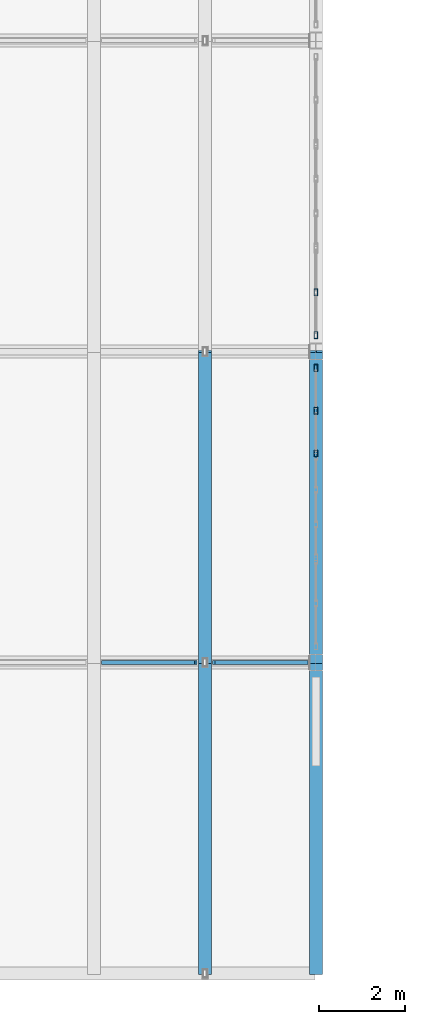
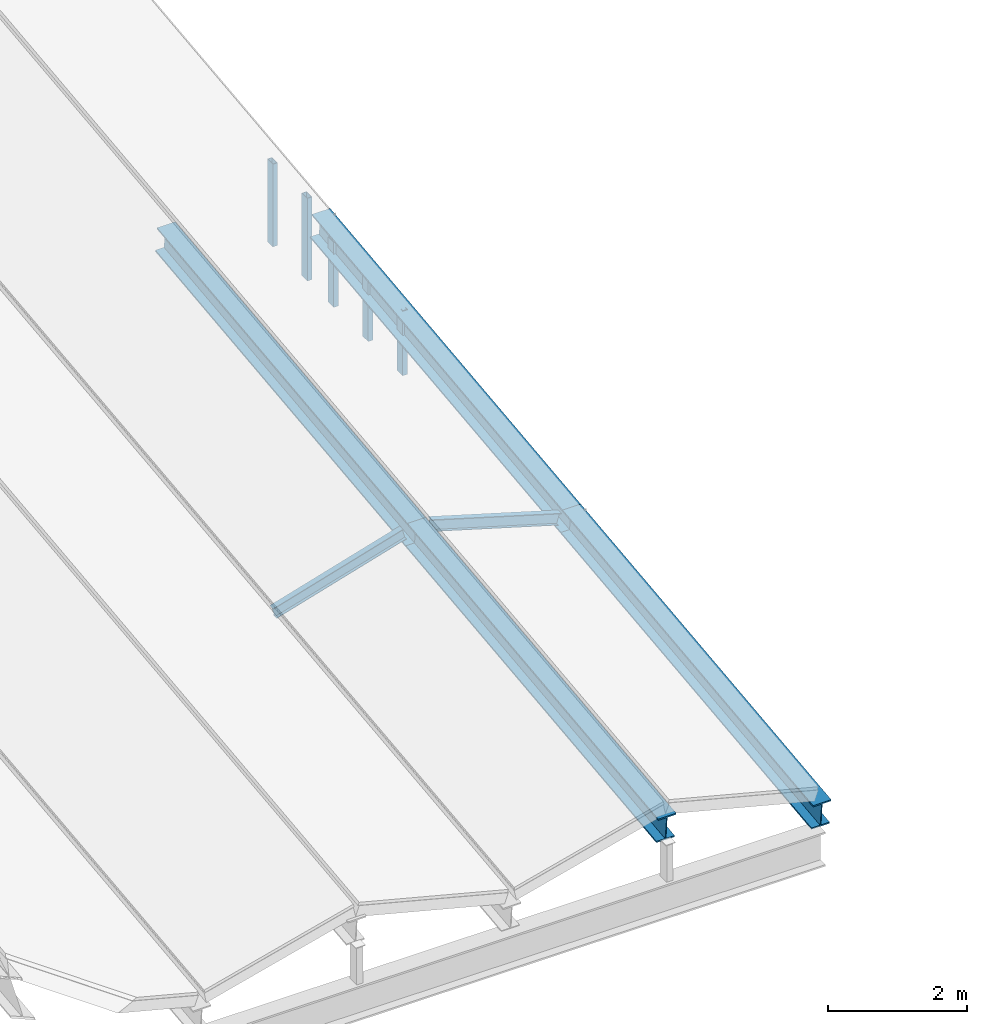
# One storey, part 10 of 39: 7 members, 4 beams, 2 elements without a shape of their own.
"""IFC4 building model written with IfcOpenShell, lengths in metres."""

from ifc_helpers import new_model, si_unit, direction, frame, origin, origin_2d, place, context, subcontext, project, spatial, hollow_rectangle, i_section, extrude, material, layer, layer_set, material_profile, profile_set, type_object, element, aggregate, save


model = new_model("IFC4")

# Units and contexts
model_context = context("Model", 3, precision=1e-05, world=origin(), true_north=direction((0.0, 1.0)))
body_context = subcontext(model_context, "Body", "Model", "MODEL_VIEW")
ifc_project = project(units=[si_unit("LENGTHUNIT", "METRE"), si_unit("AREAUNIT", "SQUARE_METRE"), si_unit("VOLUMEUNIT", "CUBIC_METRE"), si_unit("PLANEANGLEUNIT", "RADIAN"), si_unit("MASSUNIT", "GRAM", prefix="KILO"), si_unit("THERMODYNAMICTEMPERATUREUNIT", "KELVIN"), si_unit("POWERUNIT", "WATT")], contexts=[model_context])

# Site, building, storey
site_placement = place(None, origin())
site = spatial("IfcSite", under=ifc_project, at=site_placement, CompositionType="ELEMENT")
building_placement = place(site_placement, origin())
building = spatial("IfcBuilding", under=site, at=building_placement, Name="Kaldorven Railside Theatre", CompositionType="ELEMENT")
storey_placement = place(building_placement, frame((0.0, 0.0, 27.300048828125)))
storey = spatial("IfcBuildingStorey", under=building, at=storey_placement, Name="ROOF", CompositionType="ELEMENT", Elevation=27.300048828125)

# Beams
ifc_material_1 = material(Name="Steel S355", Category="steel")
ifc_material_profile_1 = material_profile(ifc_material_1, i_section(OverallWidth=0.300048828125, OverallDepth=0.449951171875, WebThickness=0.013916015625, FlangeThickness=0.02587890625, at=origin_2d()), Name="HEB 450")
ifc_profile_set_1 = profile_set([ifc_material_profile_1], Name="Steel S355")
beam_type = type_object("IfcBeamType", Name="BM-HEB450", PredefinedType="BEAM", material=ifc_profile_set_1)
for number, where, z_axis, x_axis, name in (
    (1, (120.62841796875, 84.0, 0.22998046875), (0.0, 0.993575928723, 0.11316745938), (-1.0, 0.0, 0.0), "V2 Folded-Plate Ridge Girder RB-151"),
    (2, (120.62841796875, 91.199951171875, 1.050048828125), (0.0, 0.993575928723, 0.11316745938), (-1.0, 0.0, 0.0), "V2 Folded-Plate Ridge Girder RB-152"),
    (3, (123.199951171875, 84.0, -0.43505859375), (0.0, 0.993575928723, 0.11316745938), (-1.0, 0.0, 0.0), "V2 Folded-Plate Valley Girder VB-155"),
    (4, (123.199951171875, 91.199951171875, 0.385009765625), (0.0, 0.993575928723, 0.11316745938), (-1.0, 0.0, 0.0), "V2 Folded-Plate Valley Girder VB-156"),
):
    element("IfcBeam", number, at=place(storey_placement, frame(where, z_axis=z_axis, x_axis=x_axis)), inside=storey, type_object=beam_type, Name=name, PredefinedType="BEAM", context=body_context, shape_type="SweptSolid", body=[
        extrude(i_section(OverallWidth=0.300048828125, OverallDepth=0.449951171875, WebThickness=0.013916015625, FlangeThickness=0.02587890625, at=origin_2d()), origin(), (0.0, 0.0, 1.0), 7.24658203125),
    ])

# Curtain wall, members
ifc_material_2 = material(Name="Low-E laminated solar-control glass", Category="glass")
ifc_layer_1 = layer(ifc_material_2, 0.159912109375, Name="Low-E laminated solar-control glass")
ifc_layer_set_1 = layer_set([ifc_layer_1], Name="Low-E laminated solar-control glass")
curtain_wall_type_1 = type_object("IfcCurtainWallType", Name="CWT-54", PredefinedType="USERDEFINED", material=ifc_layer_set_1)
curtain_wall_1_placement = place(storey_placement, origin())
curtain_wall_1 = element("IfcCurtainWall", 5, at=curtain_wall_1_placement, inside=storey, type_object=curtain_wall_type_1, Name="Fly-Tower East Crown Clerestory CWG-104", ObjectType="FLUTED GLAZING", PredefinedType="USERDEFINED")
ifc_material_3 = material(Name="Anodised bronze aluminium", Category="aluminium")
ifc_material_profile_2 = material_profile(ifc_material_3, hollow_rectangle(XDim=0.080078125, YDim=0.159912109375, WallThickness=0.00634765625, at=origin_2d()), Name="RHS 160x80x6.3")
ifc_profile_set_2 = profile_set([ifc_material_profile_2], Name="Anodised bronze aluminium")
member_type_1 = type_object("IfcMemberType", Name="CWM-160", PredefinedType="MULLION", material=ifc_profile_set_2)
member_1_placement = place(storey_placement, frame((123.199951171875, 96.0400390625, 0.02001953125), z_axis=(0.0, 0.0, 1.0), x_axis=(-1.0, 0.0, 0.0)))
member_1 = element("IfcMember", 6, at=member_1_placement, type_object=member_type_1, Name="CWG-104 mullion 1", PredefinedType="MULLION", context=body_context, shape_type="SweptSolid", body=[
    extrude(hollow_rectangle(XDim=0.080078125, YDim=0.159912109375, WallThickness=0.00634765625, at=origin_2d()), origin(), (0.0, 0.0, 1.0), 1.139892578125),
])
member_2_placement = place(storey_placement, frame((123.199951171875, 97.030029296875, 0.02001953125), z_axis=(0.0, 0.0, 1.0), x_axis=(-1.0, 0.0, 0.0)))
member_2 = element("IfcMember", 7, at=member_2_placement, type_object=member_type_1, Name="CWG-104 mullion 2", PredefinedType="MULLION", context=body_context, shape_type="SweptSolid", body=[
    extrude(hollow_rectangle(XDim=0.080078125, YDim=0.159912109375, WallThickness=0.00634765625, at=origin_2d()), origin(), (0.0, 0.0, 1.0), 1.139892578125),
])
member_3_placement = place(storey_placement, frame((123.199951171875, 98.02001953125, 0.02001953125), z_axis=(0.0, 0.0, 1.0), x_axis=(-1.0, 0.0, 0.0)))
member_3 = element("IfcMember", 8, at=member_3_placement, type_object=member_type_1, Name="CWG-104 mullion 3", PredefinedType="MULLION", context=body_context, shape_type="SweptSolid", body=[
    extrude(hollow_rectangle(XDim=0.080078125, YDim=0.159912109375, WallThickness=0.00634765625, at=origin_2d()), origin(), (0.0, 0.0, 1.0), 1.139892578125),
])
aggregate(curtain_wall_1, [member_1, member_2, member_3])

ifc_layer_2 = layer(ifc_material_2, 0.159912109375, Name="Low-E laminated solar-control glass")
ifc_layer_set_2 = layer_set([ifc_layer_2], Name="Low-E laminated solar-control glass")
curtain_wall_type_2 = type_object("IfcCurtainWallType", Name="CWT-55", PredefinedType="USERDEFINED", material=ifc_layer_set_2)
curtain_wall_2_placement = place(storey_placement, origin())
curtain_wall_2 = element("IfcCurtainWall", 9, at=curtain_wall_2_placement, inside=storey, type_object=curtain_wall_type_2, Name="Fly-Tower East Crown Clerestory CWG-105", ObjectType="FLUTED GLAZING", PredefinedType="USERDEFINED")
member_4_placement = place(storey_placement, frame((123.199951171875, 98.780029296875, 0.02001953125), z_axis=(0.0, 0.0, 1.0), x_axis=(-1.0, 0.0, 0.0)))
member_4 = element("IfcMember", 10, at=member_4_placement, type_object=member_type_1, Name="CWG-105 mullion 1", PredefinedType="MULLION", context=body_context, shape_type="SweptSolid", body=[
    extrude(hollow_rectangle(XDim=0.080078125, YDim=0.159912109375, WallThickness=0.00634765625, at=origin_2d()), origin(), (0.0, 0.0, 1.0), 1.449951171875),
])
member_5_placement = place(storey_placement, frame((123.199951171875, 99.77001953125, 0.02001953125), z_axis=(0.0, 0.0, 1.0), x_axis=(-1.0, 0.0, 0.0)))
member_5 = element("IfcMember", 11, at=member_5_placement, type_object=member_type_1, Name="CWG-105 mullion 2", PredefinedType="MULLION", context=body_context, shape_type="SweptSolid", body=[
    extrude(hollow_rectangle(XDim=0.080078125, YDim=0.159912109375, WallThickness=0.00634765625, at=origin_2d()), origin(), (0.0, 0.0, 1.0), 1.449951171875),
])
aggregate(curtain_wall_2, [member_4, member_5])

# Members
ifc_material_profile_3 = material_profile(ifc_material_1, i_section(OverallWidth=0.10009765625, OverallDepth=0.199951171875, WebThickness=0.005615234375, FlangeThickness=0.008544921875, at=origin_2d()), Name="IPE 200")
ifc_profile_set_3 = profile_set([ifc_material_profile_3], Name="Steel S355")
member_type_2 = type_object("IfcMemberType", Name="MEM-IPE200", PredefinedType="PURLIN", material=ifc_profile_set_3)
member_6_placement = place(storey_placement, frame((118.26513671875, 91.199951171875, 0.4794921875), z_axis=(0.958611678215, 0.0, 0.284716789792), x_axis=(0.0, 1.0, 0.0)))
element("IfcMember", 12, at=member_6_placement, inside=storey, type_object=member_type_2, Name="V2 Folded-Roof Transverse Purlin PRL-053", PredefinedType="PURLIN", context=body_context, shape_type="SweptSolid", body=[
    extrude(i_section(OverallWidth=0.10009765625, OverallDepth=0.199951171875, WebThickness=0.005615234375, FlangeThickness=0.008544921875, at=origin_2d()), origin(), (0.0, 0.0, 1.0), 2.248291015625),
])
member_7_placement = place(storey_placement, frame((120.83642578125, 91.199951171875, 1.11962890625), z_axis=(0.958620479351, 0.0, -0.284687155608), x_axis=(0.0, 1.0, 0.0)))
element("IfcMember", 13, at=member_7_placement, inside=storey, type_object=member_type_2, Name="V2 Folded-Roof Transverse Purlin PRL-055", PredefinedType="PURLIN", context=body_context, shape_type="SweptSolid", body=[
    extrude(i_section(OverallWidth=0.10009765625, OverallDepth=0.199951171875, WebThickness=0.005615234375, FlangeThickness=0.008544921875, at=origin_2d()), origin(), (0.0, 0.0, 1.0), 2.24853515625),
])

save(model, "model.ifc")
